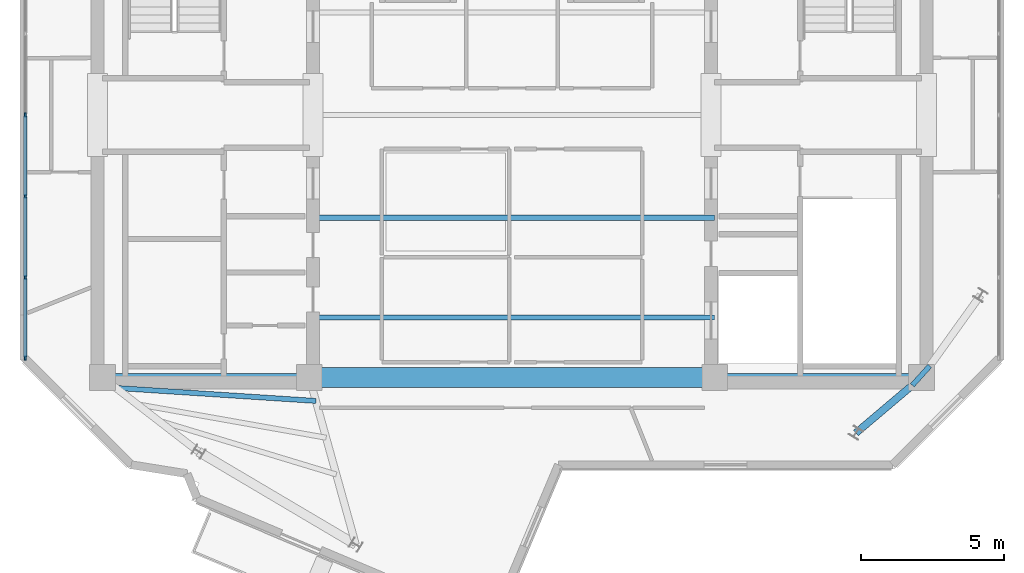
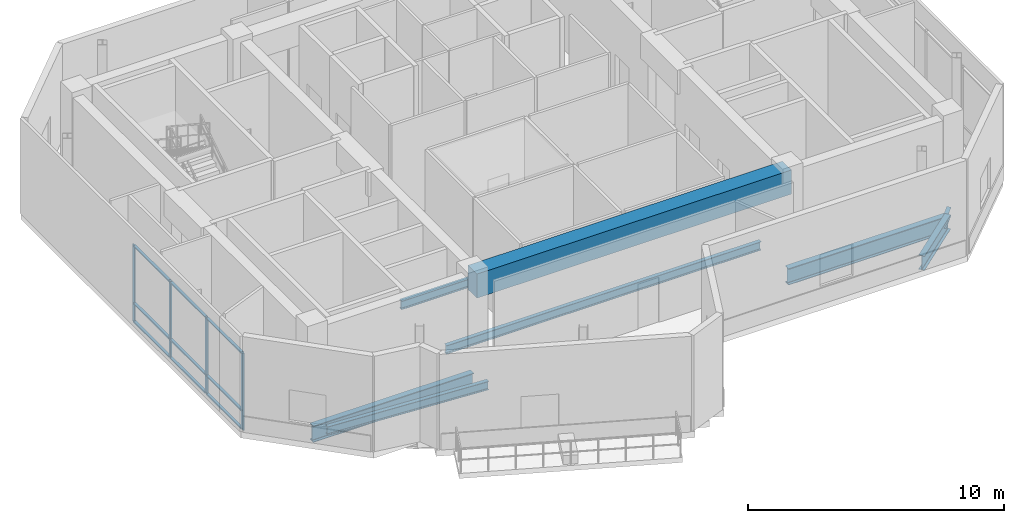
# One storey, part 2 of 11: 13 members, 8 beams, 1 element without a shape of its own.
"""IFC4 building model written with IfcOpenShell, lengths in metres."""

from ifc_helpers import new_model, si_unit, direction, frame, origin, origin_2d, place, context, subcontext, project, spatial, rectangle, i_section, extrude, source, transform, mapped, material, layer, layer_set, material_profile, profile_set, type_object, element, aggregate, save


model = new_model("IFC4")

# Units and contexts
model_context = context("Model", 3, precision=1e-05, world=origin(), true_north=direction((0.0, 1.0)))
body_context = subcontext(model_context, "Body", "Model", "MODEL_VIEW")
ifc_project = project(units=[si_unit("LENGTHUNIT", "METRE"), si_unit("AREAUNIT", "SQUARE_METRE"), si_unit("VOLUMEUNIT", "CUBIC_METRE"), si_unit("PLANEANGLEUNIT", "RADIAN"), si_unit("MASSUNIT", "GRAM", prefix="KILO")], contexts=[model_context])

# Site, building, storey
site_placement = place(None, origin())
site = spatial("IfcSite", under=ifc_project, at=site_placement, CompositionType="ELEMENT")
building_placement = place(site_placement, origin())
building = spatial("IfcBuilding", under=site, at=building_placement, Name="Zahravan Cultural Tower", CompositionType="ELEMENT")
storey_placement = place(building_placement, frame((0.0, 0.0, 365.85009765625)))
storey = spatial("IfcBuildingStorey", under=building, at=storey_placement, Name="L89", CompositionType="ELEMENT", Elevation=365.85009765625)

# Beams
ifc_material_1 = material(Name="Concrete C50/60", Category="concrete")
ifc_material_profile_1 = material_profile(ifc_material_1, rectangle(XDim=0.699951171875, YDim=1.14990234375, at=origin_2d()), Name="RC700X1150")
ifc_profile_set_1 = profile_set([ifc_material_profile_1], Name="Concrete C50/60")
beam_type_1 = type_object("IfcBeamType", Name="BM-LN-RC700X1150", PredefinedType="LINTEL", material=ifc_profile_set_1)
shared_shape_1 = source(origin(), body_context, "Body", "SweptSolid", [
    extrude(rectangle(XDim=0.699951171875, YDim=1.14990234375, at=origin_2d()), origin(), (0.0, 0.0, 1.0), 14.2001953125),
])
beam_1_placement = place(storey_placement, frame((28.89990234375, 17.800048828125, 3.974853515625), z_axis=(1.0, 0.0, 0.0), x_axis=(0.0, 1.0, 0.0)))
element("IfcBeam", 1, at=beam_1_placement, inside=storey, type_object=beam_type_1, Name="L89 Beam LN-L89-S", PredefinedType="LINTEL", context=body_context, shape_type="MappedRepresentation", body=[
    mapped(shared_shape_1, transform((0.0, 0.0, 0.0), x_axis=(1.0, 0.0, 0.0), y_axis=(0.0, 1.0, 0.0), z_axis=(0.0, 0.0, 1.0), scale=1.0)),
])
ifc_material_2 = material(Name="Steel ASTM A992 Grade 50", Category="steel")
ifc_material_profile_2 = material_profile(ifc_material_2, i_section(OverallWidth=0.26611328125, OverallDepth=0.780029296875, WebThickness=0.0166015625, FlangeThickness=0.030029296875, FilletRadius=0.01904296875, at=origin_2d()), Name="W30X148")
ifc_profile_set_2 = profile_set([ifc_material_profile_2], Name="Steel ASTM A992 Grade 50")
beam_type_2 = type_object("IfcBeamType", Name="BM-G-W30X148", PredefinedType="BEAM", material=ifc_profile_set_2)
shared_shape_2 = source(origin(), body_context, "Body", "SweptSolid", [
    extrude(i_section(OverallWidth=0.26611328125, OverallDepth=0.780029296875, WebThickness=0.0166015625, FlangeThickness=0.030029296875, FilletRadius=0.01904296875, at=origin_2d()), origin(), (0.0, 0.0, 1.0), 7.25),
])
for number, where, z_axis, x_axis, name in (
    (2, (21.64990234375, 17.800048828125, -0.690185546875), (1.0, 0.0, 0.0), (0.0, 1.0, 0.0), "L89 Beam BG-L89-01"),
    (3, (43.10009765625, 17.800048828125, -0.690185546875), (1.0, 0.0, 0.0), (0.0, 1.0, 0.0), "L89 Beam BG-L89-04"),
):
    element("IfcBeam", number, at=place(storey_placement, frame(where, z_axis=z_axis, x_axis=x_axis)), inside=storey, type_object=beam_type_2, Name=name, PredefinedType="BEAM", context=body_context, shape_type="MappedRepresentation", body=[
        mapped(shared_shape_2, transform((0.0, 0.0, 0.0), x_axis=(1.0, 0.0, 0.0), y_axis=(0.0, 1.0, 0.0), z_axis=(0.0, 0.0, 1.0), scale=1.0)),
    ])
ifc_material_profile_3 = material_profile(ifc_material_2, i_section(OverallWidth=0.177978515625, OverallDepth=0.406005859375, WebThickness=0.0078125, FlangeThickness=0.0126953125, FilletRadius=0.011962890625, at=origin_2d()), Name="W16X40")
ifc_profile_set_3 = profile_set([ifc_material_profile_3], Name="Steel ASTM A992 Grade 50")
beam_type_3 = type_object("IfcBeamType", Name="BM-J-W16X40", PredefinedType="JOIST", material=ifc_profile_set_3)
shared_shape_3 = source(origin(), body_context, "Body", "SweptSolid", [
    extrude(i_section(OverallWidth=0.177978515625, OverallDepth=0.406005859375, WebThickness=0.0078125, FlangeThickness=0.0126953125, FilletRadius=0.011962890625, at=origin_2d()), origin(), (0.0, 0.0, 1.0), 14.2001953125),
])
for number, where, z_axis, x_axis, name in (
    (4, (28.89990234375, 19.89990234375, -0.503173828125), (1.0, 0.0, 0.0), (0.0, 1.0, 0.0), "L89 Beam BJ-L89-20"),
    (5, (28.89990234375, 23.39990234375, -0.503173828125), (1.0, 0.0, 0.0), (0.0, 1.0, 0.0), "L89 Beam BJ-L89-21"),
):
    element("IfcBeam", number, at=place(storey_placement, frame(where, z_axis=z_axis, x_axis=x_axis)), inside=storey, type_object=beam_type_3, Name=name, PredefinedType="JOIST", context=body_context, shape_type="MappedRepresentation", body=[
        mapped(shared_shape_3, transform((0.0, 0.0, 0.0), x_axis=(1.0, 0.0, 0.0), y_axis=(0.0, 1.0, 0.0), z_axis=(0.0, 0.0, 1.0), scale=1.0)),
    ])
shared_shape_4 = source(origin(), body_context, "Body", "SweptSolid", [
    extrude(i_section(OverallWidth=0.177978515625, OverallDepth=0.406005859375, WebThickness=0.0078125, FlangeThickness=0.0126953125, FilletRadius=0.011962890625, at=origin_2d()), origin(), (0.0, 0.0, 1.0), 7.02099609375),
])
beam_2_placement = place(storey_placement, frame((22.121337890625, 17.43603515625, -0.503173828125), z_axis=(0.99788584579, -0.064991066863, 0.0), x_axis=(0.064991066863, 0.99788584579, 0.0)))
element("IfcBeam", 6, at=beam_2_placement, inside=storey, type_object=beam_type_3, Name="L89 Beam BJ-L89-24", PredefinedType="JOIST", context=body_context, shape_type="MappedRepresentation", body=[
    mapped(shared_shape_4, transform((0.0, 0.0, 0.0), x_axis=(1.0, 0.0, 0.0), y_axis=(0.0, 1.0, 0.0), z_axis=(0.0, 0.0, 1.0), scale=1.0)),
])
shared_shape_5 = source(origin(), body_context, "Body", "SweptSolid", [
    extrude(i_section(OverallWidth=0.177978515625, OverallDepth=0.406005859375, WebThickness=0.0078125, FlangeThickness=0.0126953125, FilletRadius=0.011962890625, at=origin_2d()), origin(), (0.0, 0.0, 1.0), 0.91162109375),
])
beam_3_placement = place(storey_placement, frame((50.02880859375, 17.5283203125, -0.503173828125), z_axis=(0.670590689022, 0.741827559341, 0.0), x_axis=(-0.741827559341, 0.670590689022, 0.0)))
element("IfcBeam", 7, at=beam_3_placement, inside=storey, type_object=beam_type_3, Name="L89 Beam BJ-L89-32", PredefinedType="JOIST", context=body_context, shape_type="MappedRepresentation", body=[
    mapped(shared_shape_5, transform((0.0, 0.0, 0.0), x_axis=(1.0, 0.0, 0.0), y_axis=(0.0, 1.0, 0.0), z_axis=(0.0, 0.0, 1.0), scale=1.0)),
])
ifc_material_profile_4 = material_profile(ifc_material_2, i_section(OverallWidth=0.25390625, OverallDepth=0.68798828125, WebThickness=0.01318359375, FlangeThickness=0.02099609375, FilletRadius=0.01806640625, at=origin_2d()), Name="W27X102")
ifc_profile_set_4 = profile_set([ifc_material_profile_4], Name="Steel ASTM A992 Grade 50")
beam_type_4 = type_object("IfcBeamType", Name="BM-G-W27X102", PredefinedType="BEAM", material=ifc_profile_set_4)
shared_shape_6 = source(origin(), body_context, "Body", "SweptSolid", [
    extrude(i_section(OverallWidth=0.25390625, OverallDepth=0.68798828125, WebThickness=0.01318359375, FlangeThickness=0.02099609375, FilletRadius=0.01806640625, at=origin_2d()), origin(), (0.0, 0.0, 1.0), 3.00537109375),
])
beam_4_placement = place(storey_placement, frame((50.35009765625, 17.800048828125, -0.64404296875), z_axis=(-0.763546494847, -0.645752855361, 0.0), x_axis=(0.645752855361, -0.763546494847, 0.0)))
element("IfcBeam", 8, at=beam_4_placement, inside=storey, type_object=beam_type_4, Name="L89 Beam BG-L89-09", PredefinedType="BEAM", context=body_context, shape_type="MappedRepresentation", body=[
    mapped(shared_shape_6, transform((0.0, 0.0, 0.0), x_axis=(1.0, 0.0, 0.0), y_axis=(0.0, 1.0, 0.0), z_axis=(0.0, 0.0, 1.0), scale=1.0)),
])

# Curtain wall, members
ifc_material_3 = material(Name="Anodised bronze-aluminium mullion", Category="aluminium")
ifc_layer = layer(ifc_material_3, 0.14990234375)
ifc_layer_set = layer_set([ifc_layer], Name="Anodised bronze-aluminium mullion")
curtain_wall_type = type_object("IfcCurtainWallType", Name="CW-SYS-6", PredefinedType="USERDEFINED", material=ifc_layer_set)
curtain_wall_placement = place(storey_placement, origin())
curtain_wall = element("IfcCurtainWall", 9, at=curtain_wall_placement, inside=storey, type_object=curtain_wall_type, Name="L89 Recessed Curtain Wall CW-6.2", ObjectType="OBSERVATORY LANTERN", PredefinedType="USERDEFINED")
ifc_material_profile_5 = material_profile(ifc_material_3, rectangle(XDim=0.06005859375, YDim=0.14990234375, at=origin_2d()), Name="AL-M60X150")
ifc_profile_set_5 = profile_set([ifc_material_profile_5], Name="Anodised bronze-aluminium mullion")
member_type_1 = type_object("IfcMemberType", Name="CWM-CW-6", PredefinedType="MULLION", material=ifc_profile_set_5)
shared_shape_7 = source(origin(), body_context, "Body", "SweptSolid", [
    extrude(rectangle(XDim=0.06005859375, YDim=0.14990234375, at=origin_2d()), origin(), (0.0, 0.0, 1.0), 3.669921875),
])
member_1_placement = place(storey_placement, frame((18.93994140625, 18.488037109375, 0.0), z_axis=(0.0, 0.0, 1.0), x_axis=(-1.0, 0.0, 0.0)))
member_1 = element("IfcMember", 10, at=member_1_placement, type_object=member_type_1, Name="CW-6 mullion 1", PredefinedType="MULLION", context=body_context, shape_type="MappedRepresentation", body=[
    mapped(shared_shape_7, transform((0.0, 0.0, 0.0), x_axis=(1.0, 0.0, 0.0), y_axis=(0.0, 1.0, 0.0), z_axis=(0.0, 0.0, 1.0), scale=1.0)),
])
member_2_placement = place(storey_placement, frame((18.93994140625, 21.305419921875, 0.0), z_axis=(0.0, 0.0, 1.0), x_axis=(-1.0, 0.0, 0.0)))
member_2 = element("IfcMember", 11, at=member_2_placement, type_object=member_type_1, Name="CW-6 mullion 2", PredefinedType="MULLION", context=body_context, shape_type="MappedRepresentation", body=[
    mapped(shared_shape_7, transform((0.0, 0.0, 0.0), x_axis=(1.0, 0.0, 0.0), y_axis=(0.0, 1.0, 0.0), z_axis=(0.0, 0.0, 1.0), scale=1.0)),
])
member_3_placement = place(storey_placement, frame((18.93994140625, 24.152587890625, 0.0), z_axis=(0.0, 0.0, 1.0), x_axis=(-1.0, 0.0, 0.0)))
member_3 = element("IfcMember", 12, at=member_3_placement, type_object=member_type_1, Name="CW-6 mullion 3", PredefinedType="MULLION", context=body_context, shape_type="MappedRepresentation", body=[
    mapped(shared_shape_7, transform((0.0, 0.0, 0.0), x_axis=(1.0, 0.0, 0.0), y_axis=(0.0, 1.0, 0.0), z_axis=(0.0, 0.0, 1.0), scale=1.0)),
])
member_4_placement = place(storey_placement, frame((18.93994140625, 27.0, 0.0), z_axis=(0.0, 0.0, 1.0), x_axis=(-1.0, 0.0, 0.0)))
member_4 = element("IfcMember", 13, at=member_4_placement, type_object=member_type_1, Name="CW-6 mullion 4", PredefinedType="MULLION", context=body_context, shape_type="MappedRepresentation", body=[
    mapped(shared_shape_7, transform((0.0, 0.0, 0.0), x_axis=(1.0, 0.0, 0.0), y_axis=(0.0, 1.0, 0.0), z_axis=(0.0, 0.0, 1.0), scale=1.0)),
])
ifc_material_profile_6 = material_profile(ifc_material_3, rectangle(XDim=0.1201171875, YDim=0.06005859375, at=origin_2d()), Name="AL-T60X120")
ifc_profile_set_6 = profile_set([ifc_material_profile_6], Name="Anodised bronze-aluminium mullion")
member_type_2 = type_object("IfcMemberType", Name="CWT-CW-6", PredefinedType="USERDEFINED", material=ifc_profile_set_6)
shared_shape_8 = source(origin(), body_context, "Body", "SweptSolid", [
    extrude(rectangle(XDim=0.1201171875, YDim=0.06005859375, at=origin_2d()), origin(), (0.0, 0.0, 1.0), 2.75732421875),
])
member_5_placement = place(storey_placement, frame((18.93994140625, 18.51806640625, 0.02978515625), z_axis=(0.0, 1.0, 0.0), x_axis=(-1.0, 0.0, 0.0)))
member_5 = element("IfcMember", 14, at=member_5_placement, type_object=member_type_2, Name="CW-6 transom 1.1", ObjectType="TRANSOM", PredefinedType="USERDEFINED", context=body_context, shape_type="MappedRepresentation", body=[
    mapped(shared_shape_8, transform((0.0, 0.0, 0.0), x_axis=(1.0, 0.0, 0.0), y_axis=(0.0, 1.0, 0.0), z_axis=(0.0, 0.0, 1.0), scale=1.0)),
])
member_6_placement = place(storey_placement, frame((18.93994140625, 18.51806640625, 0.89990234375), z_axis=(0.0, 1.0, 0.0), x_axis=(-1.0, 0.0, 0.0)))
member_6 = element("IfcMember", 15, at=member_6_placement, type_object=member_type_2, Name="CW-6 transom 1.2", ObjectType="TRANSOM", PredefinedType="USERDEFINED", context=body_context, shape_type="MappedRepresentation", body=[
    mapped(shared_shape_8, transform((0.0, 0.0, 0.0), x_axis=(1.0, 0.0, 0.0), y_axis=(0.0, 1.0, 0.0), z_axis=(0.0, 0.0, 1.0), scale=1.0)),
])
member_7_placement = place(storey_placement, frame((18.93994140625, 18.51806640625, 3.639892578125), z_axis=(0.0, 1.0, 0.0), x_axis=(-1.0, 0.0, 0.0)))
member_7 = element("IfcMember", 16, at=member_7_placement, type_object=member_type_2, Name="CW-6 transom 1.3", ObjectType="TRANSOM", PredefinedType="USERDEFINED", context=body_context, shape_type="MappedRepresentation", body=[
    mapped(shared_shape_8, transform((0.0, 0.0, 0.0), x_axis=(1.0, 0.0, 0.0), y_axis=(0.0, 1.0, 0.0), z_axis=(0.0, 0.0, 1.0), scale=1.0)),
])
shared_shape_9 = source(origin(), body_context, "Body", "SweptSolid", [
    extrude(rectangle(XDim=0.1201171875, YDim=0.06005859375, at=origin_2d()), origin(), (0.0, 0.0, 1.0), 2.787109375),
])
member_8_placement = place(storey_placement, frame((18.93994140625, 21.33544921875, 0.02978515625), z_axis=(0.0, 1.0, 0.0), x_axis=(-1.0, 0.0, 0.0)))
member_8 = element("IfcMember", 17, at=member_8_placement, type_object=member_type_2, Name="CW-6 transom 2.1", ObjectType="TRANSOM", PredefinedType="USERDEFINED", context=body_context, shape_type="MappedRepresentation", body=[
    mapped(shared_shape_9, transform((0.0, 0.0, 0.0), x_axis=(1.0, 0.0, 0.0), y_axis=(0.0, 1.0, 0.0), z_axis=(0.0, 0.0, 1.0), scale=1.0)),
])
member_9_placement = place(storey_placement, frame((18.93994140625, 21.33544921875, 0.89990234375), z_axis=(0.0, 1.0, 0.0), x_axis=(-1.0, 0.0, 0.0)))
member_9 = element("IfcMember", 18, at=member_9_placement, type_object=member_type_2, Name="CW-6 transom 2.2", ObjectType="TRANSOM", PredefinedType="USERDEFINED", context=body_context, shape_type="MappedRepresentation", body=[
    mapped(shared_shape_9, transform((0.0, 0.0, 0.0), x_axis=(1.0, 0.0, 0.0), y_axis=(0.0, 1.0, 0.0), z_axis=(0.0, 0.0, 1.0), scale=1.0)),
])
member_10_placement = place(storey_placement, frame((18.93994140625, 21.33544921875, 3.639892578125), z_axis=(0.0, 1.0, 0.0), x_axis=(-1.0, 0.0, 0.0)))
member_10 = element("IfcMember", 19, at=member_10_placement, type_object=member_type_2, Name="CW-6 transom 2.3", ObjectType="TRANSOM", PredefinedType="USERDEFINED", context=body_context, shape_type="MappedRepresentation", body=[
    mapped(shared_shape_9, transform((0.0, 0.0, 0.0), x_axis=(1.0, 0.0, 0.0), y_axis=(0.0, 1.0, 0.0), z_axis=(0.0, 0.0, 1.0), scale=1.0)),
])
shared_shape_10 = source(origin(), body_context, "Body", "SweptSolid", [
    extrude(rectangle(XDim=0.1201171875, YDim=0.06005859375, at=origin_2d()), origin(), (0.0, 0.0, 1.0), 2.787353515625),
])
member_11_placement = place(storey_placement, frame((18.93994140625, 24.1826171875, 0.02978515625), z_axis=(0.0, 1.0, 0.0), x_axis=(-1.0, 0.0, 0.0)))
member_11 = element("IfcMember", 20, at=member_11_placement, type_object=member_type_2, Name="CW-6 transom 3.1", ObjectType="TRANSOM", PredefinedType="USERDEFINED", context=body_context, shape_type="MappedRepresentation", body=[
    mapped(shared_shape_10, transform((0.0, 0.0, 0.0), x_axis=(1.0, 0.0, 0.0), y_axis=(0.0, 1.0, 0.0), z_axis=(0.0, 0.0, 1.0), scale=1.0)),
])
member_12_placement = place(storey_placement, frame((18.93994140625, 24.1826171875, 0.89990234375), z_axis=(0.0, 1.0, 0.0), x_axis=(-1.0, 0.0, 0.0)))
member_12 = element("IfcMember", 21, at=member_12_placement, type_object=member_type_2, Name="CW-6 transom 3.2", ObjectType="TRANSOM", PredefinedType="USERDEFINED", context=body_context, shape_type="MappedRepresentation", body=[
    mapped(shared_shape_10, transform((0.0, 0.0, 0.0), x_axis=(1.0, 0.0, 0.0), y_axis=(0.0, 1.0, 0.0), z_axis=(0.0, 0.0, 1.0), scale=1.0)),
])
member_13_placement = place(storey_placement, frame((18.93994140625, 24.1826171875, 3.639892578125), z_axis=(0.0, 1.0, 0.0), x_axis=(-1.0, 0.0, 0.0)))
member_13 = element("IfcMember", 22, at=member_13_placement, type_object=member_type_2, Name="CW-6 transom 3.3", ObjectType="TRANSOM", PredefinedType="USERDEFINED", context=body_context, shape_type="MappedRepresentation", body=[
    mapped(shared_shape_10, transform((0.0, 0.0, 0.0), x_axis=(1.0, 0.0, 0.0), y_axis=(0.0, 1.0, 0.0), z_axis=(0.0, 0.0, 1.0), scale=1.0)),
])
aggregate(curtain_wall, [member_1, member_2, member_3, member_4, member_5, member_6, member_7, member_8, member_9, member_10, member_11, member_12, member_13])

save(model, "model.ifc")
